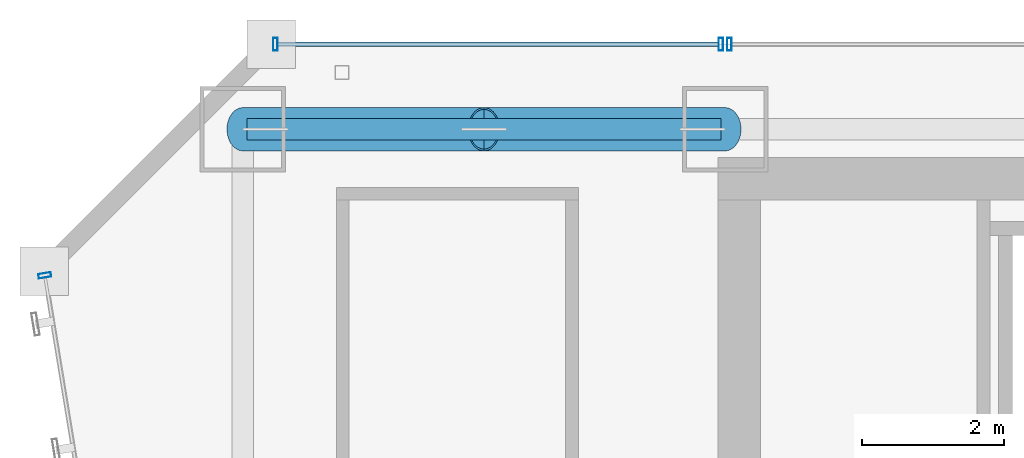
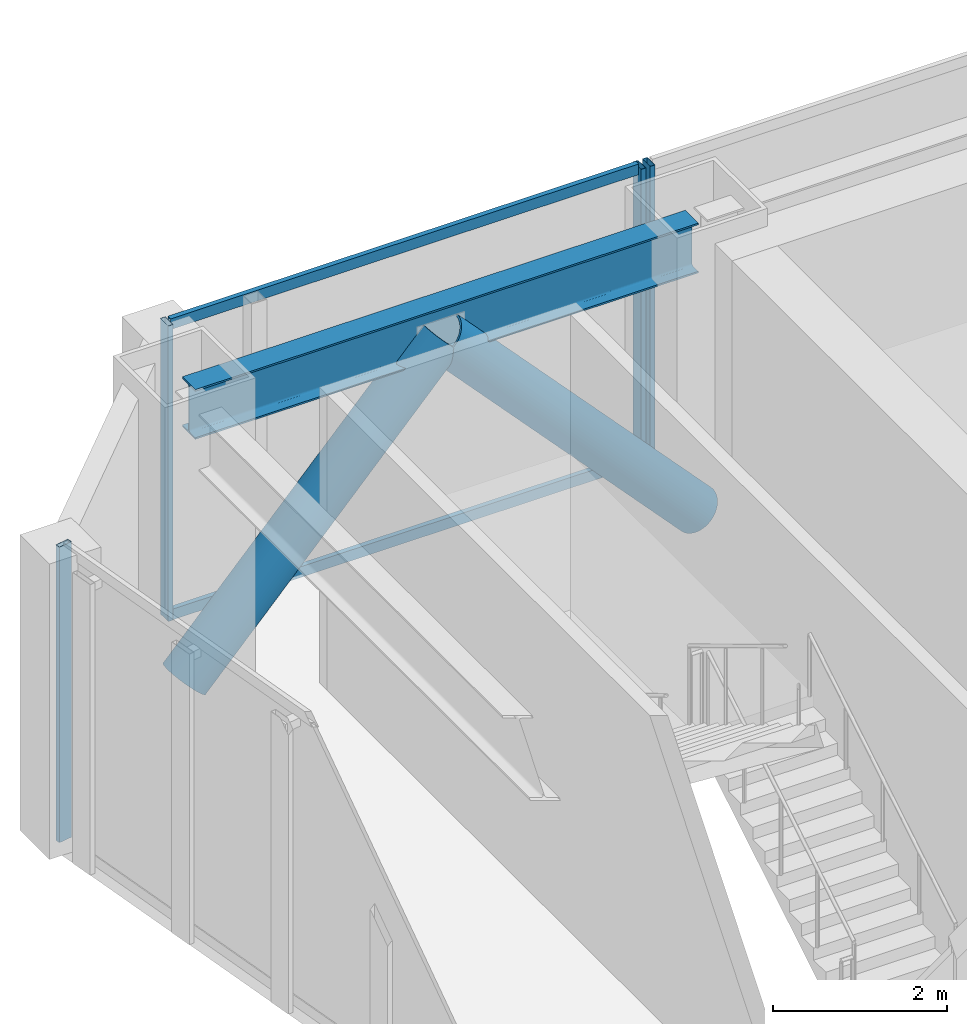
# One storey, part 26 of 47: 8 members, 1 beam, 3 elements without a shape of their own.
"""IFC4 building model written with IfcOpenShell, lengths in metres."""

from ifc_helpers import new_model, si_unit, direction, frame, origin, origin_2d, place, context, subcontext, project, spatial, hollow_rectangle, hollow_circle, i_section, extrude, material, material_profile, profile_set, type_object, element, aggregate, save


model = new_model("IFC4")

# Units and contexts
model_context = context("Model", 3, precision=1e-05, world=origin(), true_north=direction((0.0, 1.0)))
body_context = subcontext(model_context, "Body", "Model", "MODEL_VIEW")
ifc_project = project(units=[si_unit("LENGTHUNIT", "METRE"), si_unit("AREAUNIT", "SQUARE_METRE"), si_unit("VOLUMEUNIT", "CUBIC_METRE"), si_unit("PLANEANGLEUNIT", "RADIAN"), si_unit("MASSUNIT", "GRAM", prefix="KILO")], contexts=[model_context])

# Site, building, storey
site_placement = place(None, origin())
site = spatial("IfcSite", under=ifc_project, at=site_placement, CompositionType="ELEMENT")
building_placement = place(site_placement, origin())
building = spatial("IfcBuilding", under=site, at=building_placement, Name="Saevonmaru Cultural Tower", CompositionType="ELEMENT")
storey_placement = place(building_placement, frame((0.0, 0.0, 78.0)))
storey = spatial("IfcBuildingStorey", under=building, at=storey_placement, Name="L16", CompositionType="ELEMENT", Elevation=78.0)

# Beam
ifc_material_1 = material(Name="Steel SM355", Category="steel")
ifc_material_profile_1 = material_profile(ifc_material_1, i_section(OverallWidth=0.300048828125, OverallDepth=0.699951171875, WebThickness=0.012939453125, FlangeThickness=0.02392578125, FilletRadius=0.02587890625, at=origin_2d()), Name="H-700x300x13x24")
ifc_profile_set_1 = profile_set([ifc_material_profile_1], Name="Steel SM355")
beam_type = type_object("IfcBeamType", Name="BM-SP-H700", PredefinedType="SPANDREL", material=ifc_profile_set_1)
beam_placement = place(storey_placement, frame((6.860107421875, 54.800048828125, 3.800048828125), z_axis=(1.0, 0.0, 0.0), x_axis=(0.0, 1.0, 0.0)))
element("IfcBeam", 1, at=beam_placement, inside=storey, type_object=beam_type, Name="L16 North Spine Girder 1", PredefinedType="SPANDREL", context=body_context, shape_type="SweptSolid", body=[
    extrude(i_section(OverallWidth=0.300048828125, OverallDepth=0.699951171875, WebThickness=0.012939453125, FlangeThickness=0.02392578125, FilletRadius=0.02587890625, at=origin_2d()), origin(), (0.0, 0.0, 1.0), 6.679931640625),
])

# Members
ifc_material_2 = material(Name="Steel HSA600 (600 MPa)", Category="steel")
ifc_material_profile_2 = material_profile(ifc_material_2, hollow_circle(Radius=0.3046875, WallThickness=0.02490234375, at=origin_2d()), Name="CHS-609.6x25")
ifc_profile_set_2 = profile_set([ifc_material_profile_2], Name="Steel HSA600 (600 MPa)")
member_type_1 = type_object("IfcMemberType", Name="MB-PBR-CHS610", PredefinedType="BRACE", material=ifc_profile_set_2)
member_1_placement = place(storey_placement, frame((6.800048828125, 54.800048828125, 0.02001953125), z_axis=(0.681602937137, 0.0, 0.73172223971), x_axis=(0.0, 1.0, 0.0)))
element("IfcMember", 2, at=member_1_placement, inside=storey, type_object=member_type_1, Name="L16 Perimeter Braced-Tube Diagonal WN1", PredefinedType="BRACE", context=body_context, shape_type="SweptSolid", body=[
    extrude(hollow_circle(Radius=0.3046875, WallThickness=0.02490234375, at=origin_2d()), origin(), (0.0, 0.0, 1.0), 4.988037109375),
])
member_2_placement = place(storey_placement, frame((13.60009765625, 54.800048828125, 0.02001953125), z_axis=(-0.681629141635, 0.0, 0.731697829212), x_axis=(0.0, -1.0, 0.0)))
element("IfcMember", 3, at=member_2_placement, inside=storey, type_object=member_type_1, Name="L16 Perimeter Braced-Tube Diagonal WN2", PredefinedType="BRACE", context=body_context, shape_type="SweptSolid", body=[
    extrude(hollow_circle(Radius=0.3046875, WallThickness=0.02490234375, at=origin_2d()), origin(), (0.0, 0.0, 1.0), 4.98828125),
])

# Curtain wall, member
ifc_material_3 = material(Name="Satin Bronze Anodised Aluminium", Category="aluminium")
curtain_wall_type = type_object("IfcCurtainWallType", Name="CW-TYP-A", PredefinedType="NOTDEFINED", material=ifc_material_3)
curtain_wall_1_placement = place(storey_placement, origin())
curtain_wall_1 = element("IfcCurtainWall", 4, at=curtain_wall_1_placement, inside=storey, type_object=curtain_wall_type, Name="L16 North Spine Unitised Curtain Wall E10B", PredefinedType="NOTDEFINED")
ifc_material_profile_3 = material_profile(ifc_material_3, hollow_rectangle(XDim=0.06494140625, YDim=0.179931640625, WallThickness=0.00390625, at=origin_2d()), Name="ALU-MULL-180x65x4")
ifc_profile_set_3 = profile_set([ifc_material_profile_3], Name="Satin Bronze Anodised Aluminium")
member_type_2 = type_object("IfcMemberType", Name="ML-CW-180x65", PredefinedType="MULLION", material=ifc_profile_set_3)
member_3_placement = place(storey_placement, frame((13.659912109375, 56.0, 0.0), z_axis=(0.0, 0.0, 1.0), x_axis=(-1.0, 0.0, 0.0)))
member_3 = element("IfcMember", 5, at=member_3_placement, type_object=member_type_2, Name="CW-TW-L16-E10B mullion 4", PredefinedType="MULLION", context=body_context, shape_type="SweptSolid", body=[
    extrude(hollow_rectangle(XDim=0.06494140625, YDim=0.179931640625, WallThickness=0.00390625, at=origin_2d()), origin(), (0.0, 0.0, 1.0), 4.14990234375),
])
aggregate(curtain_wall_1, [member_3])

# Curtain wall, members
curtain_wall_2_placement = place(storey_placement, origin())
curtain_wall_2 = element("IfcCurtainWall", 6, at=curtain_wall_2_placement, inside=storey, type_object=curtain_wall_type, Name="L16 West Braced Bay Spandrel Curtain Wall E10C", PredefinedType="NOTDEFINED")
member_4_placement = place(storey_placement, frame((13.5400390625, 56.0, 0.0), z_axis=(0.0, 0.0, 1.0), x_axis=(-1.0, 0.0, 0.0)))
member_4 = element("IfcMember", 7, at=member_4_placement, type_object=member_type_2, Name="CW-TW-L16-E10C mullion 1", PredefinedType="MULLION", context=body_context, shape_type="SweptSolid", body=[
    extrude(hollow_rectangle(XDim=0.06494140625, YDim=0.179931640625, WallThickness=0.00390625, at=origin_2d()), origin(), (0.0, 0.0, 1.0), 4.14990234375),
])
member_5_placement = place(storey_placement, frame((7.260009765625, 56.0, 0.0), z_axis=(0.0, 0.0, 1.0), x_axis=(-1.0, 0.0, 0.0)))
member_5 = element("IfcMember", 8, at=member_5_placement, type_object=member_type_2, Name="CW-TW-L16-E10C mullion 2", PredefinedType="MULLION", context=body_context, shape_type="SweptSolid", body=[
    extrude(hollow_rectangle(XDim=0.06494140625, YDim=0.179931640625, WallThickness=0.00390625, at=origin_2d()), origin(), (0.0, 0.0, 1.0), 4.14990234375),
])

# Curtain wall, member
curtain_wall_3_placement = place(storey_placement, origin())
curtain_wall_3 = element("IfcCurtainWall", 9, at=curtain_wall_3_placement, inside=storey, type_object=curtain_wall_type, Name="L16 Unitised Curtain Wall E12", PredefinedType="NOTDEFINED")
member_6_placement = place(storey_placement, frame((4.009765625, 52.74072265625, 0.0), z_axis=(0.0, 0.0, 1.0), x_axis=(0.161708868641, -0.986838508472, 0.0)))
member_6 = element("IfcMember", 10, at=member_6_placement, type_object=member_type_2, Name="CW-TW-L16-E12 mullion 1", PredefinedType="MULLION", context=body_context, shape_type="SweptSolid", body=[
    extrude(hollow_rectangle(XDim=0.06494140625, YDim=0.179931640625, WallThickness=0.00390625, at=origin_2d()), origin(), (0.0, 0.0, 1.0), 4.14990234375),
])
aggregate(curtain_wall_3, [member_6])

# Member
ifc_material_profile_4 = material_profile(ifc_material_3, hollow_rectangle(XDim=0.06494140625, YDim=0.14990234375, WallThickness=0.00390625, at=origin_2d()), Name="ALU-TRAN-150x65x4")
ifc_profile_set_4 = profile_set([ifc_material_profile_4], Name="Satin Bronze Anodised Aluminium")
member_type_3 = type_object("IfcMemberType", Name="TR-CW-150x65", PredefinedType="USERDEFINED", material=ifc_profile_set_4)
member_7_placement = place(storey_placement, frame((13.507568359375, 56.0, 0.032470703125), z_axis=(-1.0, 0.0, 0.0), x_axis=(0.0, -1.0, 0.0)))
member_7 = element("IfcMember", 11, at=member_7_placement, type_object=member_type_3, Name="CW-TW-L16-E10C transom 1.1", ObjectType="TRANSOM", PredefinedType="USERDEFINED", context=body_context, shape_type="SweptSolid", body=[
    extrude(hollow_rectangle(XDim=0.06494140625, YDim=0.14990234375, WallThickness=0.00390625, at=origin_2d()), origin(), (0.0, 0.0, 1.0), 6.215087890625),
])

member_8_placement = place(storey_placement, frame((13.507568359375, 56.0, 4.117431640625), z_axis=(-1.0, 0.0, 0.0), x_axis=(0.0, -1.0, 0.0)))
member_8 = element("IfcMember", 12, at=member_8_placement, type_object=member_type_3, Name="CW-TW-L16-E10C transom 1.2", ObjectType="TRANSOM", PredefinedType="USERDEFINED", context=body_context, shape_type="SweptSolid", body=[
    extrude(hollow_rectangle(XDim=0.06494140625, YDim=0.14990234375, WallThickness=0.00390625, at=origin_2d()), origin(), (0.0, 0.0, 1.0), 6.215087890625),
])

aggregate(curtain_wall_2, [member_4, member_5, member_7, member_8])

save(model, "model.ifc")
